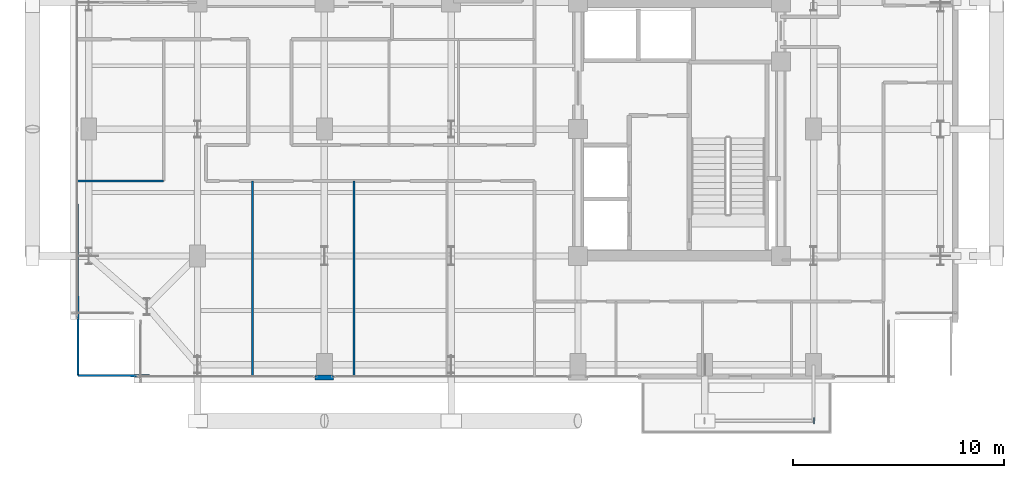
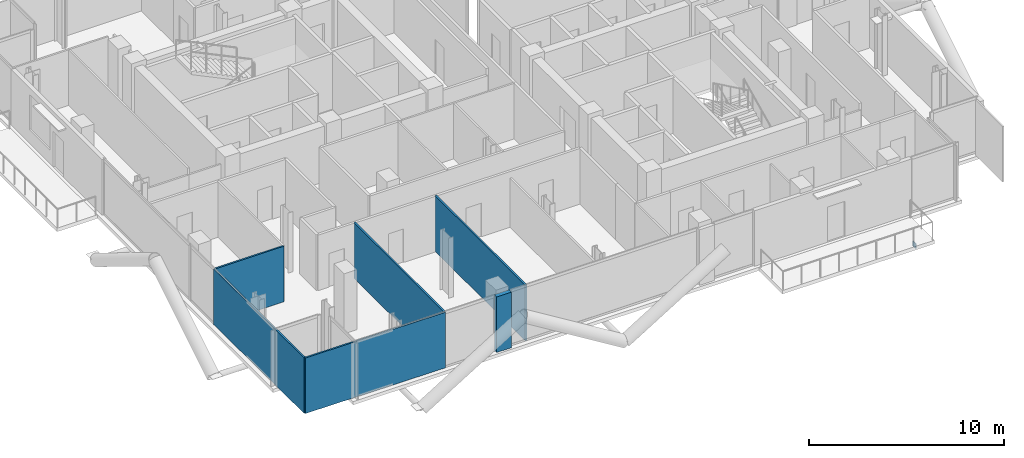
# One storey, part 19 of 26: 6 walls, 1 plate.
"""IFC4 building model written with IfcOpenShell, lengths in metres."""

from ifc_helpers import new_model, si_unit, direction, frame, frame_2d, origin, origin_2d, place, context, subcontext, project, spatial, rectangle, extrude, material, layer, layer_set, type_object, element, save


model = new_model("IFC4")

# Units and contexts
model_context = context("Model", 3, precision=1e-05, world=origin(), true_north=direction((0.0, 1.0)))
body_context = subcontext(model_context, "Body", "Model", "MODEL_VIEW")
ifc_project = project(units=[si_unit("LENGTHUNIT", "METRE"), si_unit("AREAUNIT", "SQUARE_METRE"), si_unit("VOLUMEUNIT", "CUBIC_METRE"), si_unit("PLANEANGLEUNIT", "RADIAN"), si_unit("MASSUNIT", "GRAM", prefix="KILO"), si_unit("THERMODYNAMICTEMPERATUREUNIT", "KELVIN"), si_unit("POWERUNIT", "WATT")], contexts=[model_context])

# Site, building, storey
site_placement = place(None, origin())
site = spatial("IfcSite", under=ifc_project, at=site_placement, CompositionType="ELEMENT")
building_placement = place(site_placement, origin())
building = spatial("IfcBuilding", under=site, at=building_placement, Name="Svarakhadi Broadcast Tower", CompositionType="ELEMENT")
storey_placement = place(building_placement, frame((0.0, 0.0, 195.449951171875)))
storey = spatial("IfcBuildingStorey", under=building, at=storey_placement, Name="L48", CompositionType="ELEMENT", Elevation=195.449951171875)

# Plate
ifc_material_1 = material(Name="Steel S460ML (IS 2062 E450BR)", Category="steel")
ifc_layer_1 = layer(ifc_material_1, 0.028076171875)
ifc_layer_set_1 = layer_set([ifc_layer_1], Name="Steel S460ML (IS 2062 E450BR)")
plate_type = type_object("IfcPlateType", Name="Cap_Plate_CP02", PredefinedType="USERDEFINED", material=ifc_layer_set_1)
plate_placement = place(storey_placement, frame((35.1650390625, -1.800048828125, -0.5048828125), z_axis=(0.0, 0.0, 1.0), x_axis=(1.0, 0.0, 0.0)))
element("IfcPlate", 1, at=plate_placement, inside=storey, type_object=plate_type, Name="L48 Balcony Spandrel End Cap Plate 1F-B", ObjectType="FLANGE_PLATE", PredefinedType="USERDEFINED", context=body_context, shape_type="SweptSolid", body=[
    extrude(rectangle(XDim=0.0400390625, YDim=0.300048828125, at=origin_2d()), origin(), (0.0, 0.0, 1.0), 0.31005859375),
])

# Walls
ifc_material_2 = material(Name="Concrete C40/50 (IS 456 M50)", Category="concrete")
ifc_layer_2 = layer(ifc_material_2, 0.239990234375)
ifc_layer_set_2 = layer_set([ifc_layer_2], Name="Concrete C40/50 (IS 456 M50)")
wall_type_1 = type_object("IfcWallType", Name="Wall_Ext_240", PredefinedType="SOLIDWALL", material=ifc_layer_set_2)
wall_1_placement = place(storey_placement, frame((12.43994140625, 0.239990234375, 0.0), z_axis=(0.0, 0.0, 1.0), x_axis=(-1.0, 0.0, 0.0)))
element("IfcWall", 2, at=wall_1_placement, inside=storey, type_object=wall_type_1, Name="L48 Perimeter Bronze Spandrel Closure Wall 04", PredefinedType="SOLIDWALL", context=body_context, shape_type="SweptSolid", body=[
    extrude(rectangle(XDim=0.8798828125, YDim=0.239990234375, at=frame_2d((0.43994140625, 0.0))), origin(), (0.0, 0.0, 1.0), 3.47509765625),
])
ifc_material_3 = material(Name="Fire-Rated Moisture-Resistant Gypsum Board Partition", Category="gypsum")
ifc_layer_3 = layer(ifc_material_3, 0.10009765625)
ifc_layer_set_3 = layer_set([ifc_layer_3], Name="Fire-Rated Moisture-Resistant Gypsum Board Partition")
wall_type_2 = type_object("IfcWallType", Name="Wall_Part_100", PredefinedType="PARTITIONING", material=ifc_layer_set_3)
wall_2_placement = place(storey_placement, frame((0.35009765625, 0.35009765625, 0.0), z_axis=(0.0, 0.0, 1.0), x_axis=(0.999981599147, -0.006066412992, 0.0)))
element("IfcWall", 3, at=wall_2_placement, inside=storey, type_object=wall_type_2, Name="L48 Ayurvedic Hydrotherapy Vitality Suite Wall", PredefinedType="PARTITIONING", context=body_context, shape_type="SweptSolid", body=[
    extrude(rectangle(XDim=8.250244140625, YDim=0.10009765625, at=frame_2d((4.125, 0.0))), origin(), (0.0, 0.0, 1.0), 3.47509765625),
])
wall_3_placement = place(storey_placement, frame((0.35009765625, 0.35009765625, 0.0), z_axis=(0.0, 0.0, 1.0), x_axis=(-0.005440038388, 0.999985202882, 0.0)))
element("IfcWall", 4, at=wall_3_placement, inside=storey, type_object=wall_type_2, Name="L48 Ayurvedic Hydrotherapy Vitality Suite Wall", PredefinedType="PARTITIONING", context=body_context, shape_type="SweptSolid", body=[
    extrude(rectangle(XDim=9.2001953125, YDim=0.10009765625, at=frame_2d((4.60009765625, 0.0))), origin(), (0.0, 0.0, 1.0), 3.47509765625),
])
for number, where, z_axis, x_axis, name in (
    (5, (8.60009765625, 0.300048828125, 0.0), (0.0, 0.0, 1.0), (0.0, 1.0, 0.0), "L48 Ayurvedic Hydrotherapy Vitality Suite Wall"),
    (6, (13.39990234375, 0.300048828125, 0.0), (0.0, 0.0, 1.0), (0.0, 1.0, 0.0), "L48 Thermal Thalassotherapy Salon Wall"),
):
    element("IfcWall", number, at=place(storey_placement, frame(where, z_axis=z_axis, x_axis=x_axis)), inside=storey, type_object=wall_type_2, Name=name, PredefinedType="PARTITIONING", context=body_context, shape_type="SweptSolid", body=[
        extrude(rectangle(XDim=9.25, YDim=0.10009765625, at=frame_2d((4.625, 0.0))), origin(), (0.0, 0.0, 1.0), 3.47509765625),
    ])
wall_4_placement = place(storey_placement, frame((0.300048828125, 9.550048828125, 0.0), z_axis=(0.0, 0.0, 1.0), x_axis=(1.0, 0.0, 0.0)))
element("IfcWall", 7, at=wall_4_placement, inside=storey, type_object=wall_type_2, Name="L48 Aromatherapy Treatment Room Wall", PredefinedType="PARTITIONING", context=body_context, shape_type="SweptSolid", body=[
    extrude(rectangle(XDim=4.099853515625, YDim=0.10009765625, at=frame_2d((2.0498046875, 0.0))), origin(), (0.0, 0.0, 1.0), 3.47509765625),
])

save(model, "model.ifc")
